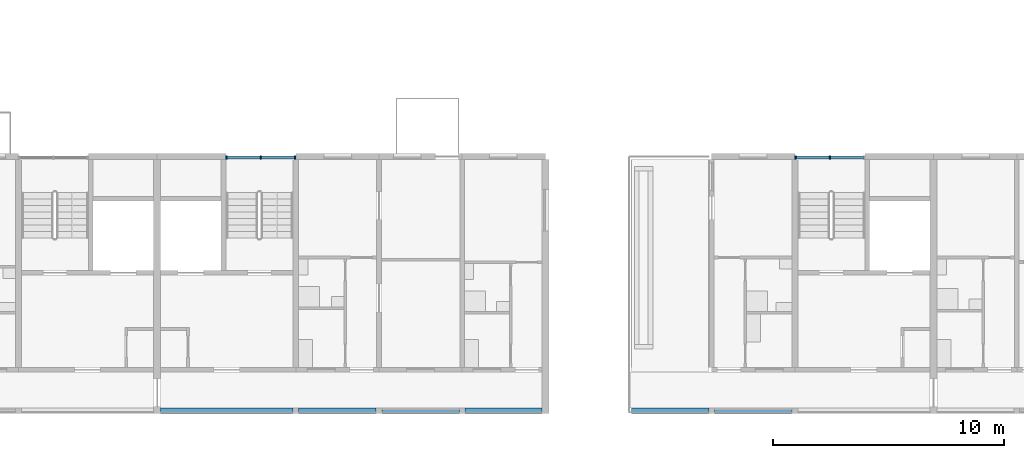
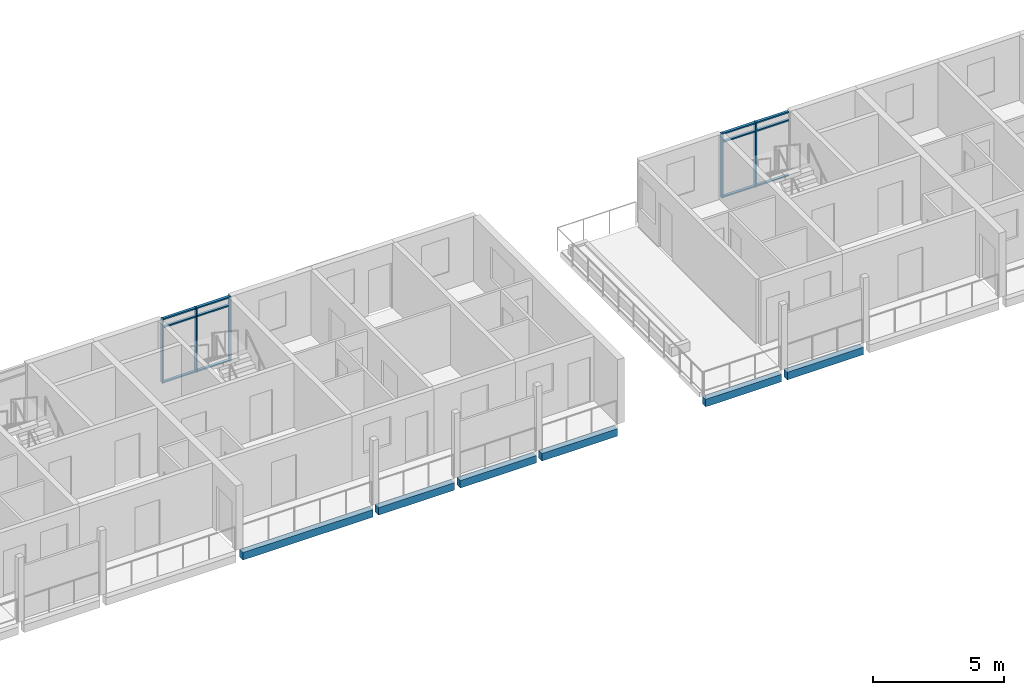
# One storey, part 5 of 64: 17 members, 6 beams, 2 elements without a shape of their own.
"""IFC4 building model written with IfcOpenShell, lengths in metres."""

from ifc_helpers import new_model, si_unit, direction, frame, origin, origin_2d, place, context, subcontext, project, spatial, rectangle, extrude, material, material_profile, profile_set, type_object, element, aggregate, save


model = new_model("IFC4")

# Units and contexts
model_context = context("Model", 3, precision=1e-05, world=origin(), true_north=direction((0.0, 1.0)))
body_context = subcontext(model_context, "Body", "Model", "MODEL_VIEW")
ifc_project = project(units=[si_unit("LENGTHUNIT", "METRE"), si_unit("AREAUNIT", "SQUARE_METRE"), si_unit("VOLUMEUNIT", "CUBIC_METRE"), si_unit("PLANEANGLEUNIT", "RADIAN"), si_unit("MASSUNIT", "GRAM", prefix="KILO")], contexts=[model_context])

# Site, building, storey
site_placement = place(None, origin())
site = spatial("IfcSite", under=ifc_project, at=site_placement, CompositionType="ELEMENT")
building_placement = place(site_placement, origin())
building = spatial("IfcBuilding", under=site, at=building_placement, Name="Ridgestep Commons", CompositionType="ELEMENT")
storey_placement = place(building_placement, frame((0.0, 0.0, 33.0)))
storey = spatial("IfcBuildingStorey", under=building, at=storey_placement, Name="L11", CompositionType="ELEMENT", Elevation=33.0)

# Beams
ifc_material_1 = material(Name="Precast concrete C40/50", Category="concrete")
ifc_material_profile_1 = material_profile(ifc_material_1, rectangle(XDim=0.25, YDim=0.35009765625, at=origin_2d()), Name="PC 250x350")
ifc_profile_set_1 = profile_set([ifc_material_profile_1], Name="Precast concrete C40/50")
beam_type = type_object("IfcBeamType", Name="Loggia edge beam 250 x 350", PredefinedType="SPANDREL", material=ifc_profile_set_1)
beam_1_placement = place(storey_placement, frame((45.75, 11.875, -0.375), z_axis=(1.0, 0.0, 0.0), x_axis=(0.0, 1.0, 0.0)))
element("IfcBeam", 1, at=beam_1_placement, inside=storey, type_object=beam_type, Name="Loggia edge beam A3C L11", PredefinedType="SPANDREL", context=body_context, shape_type="SweptSolid", body=[
    extrude(rectangle(XDim=0.25, YDim=0.35009765625, at=origin_2d()), origin(), (0.0, 0.0, 1.0), 5.72509765625),
])
beam_2_placement = place(storey_placement, frame((51.72509765625, 11.875, -0.375), z_axis=(1.0, 0.0, 0.0), x_axis=(0.0, 1.0, 0.0)))
element("IfcBeam", 2, at=beam_2_placement, inside=storey, type_object=beam_type, Name="Loggia edge beam A3T3 L11", PredefinedType="SPANDREL", context=body_context, shape_type="SweptSolid", body=[
    extrude(rectangle(XDim=0.25, YDim=0.35009765625, at=origin_2d()), origin(), (0.0, 0.0, 1.0), 3.349853515625),
])
beam_3_placement = place(storey_placement, frame((55.324951171875, 11.875, -0.375), z_axis=(1.0, 0.0, 0.0), x_axis=(0.0, 1.0, 0.0)))
element("IfcBeam", 3, at=beam_3_placement, inside=storey, type_object=beam_type, Name="Loggia edge beam A3T2 L11", PredefinedType="SPANDREL", context=body_context, shape_type="SweptSolid", body=[
    extrude(rectangle(XDim=0.25, YDim=0.35009765625, at=origin_2d()), origin(), (0.0, 0.0, 1.0), 3.35009765625),
])
beam_4_placement = place(storey_placement, frame((58.925048828125, 11.875, -0.375), z_axis=(1.0, 0.0, 0.0), x_axis=(0.0, 1.0, 0.0)))
element("IfcBeam", 4, at=beam_4_placement, inside=storey, type_object=beam_type, Name="Loggia edge beam A3T1 L11", PredefinedType="SPANDREL", context=body_context, shape_type="SweptSolid", body=[
    extrude(rectangle(XDim=0.25, YDim=0.35009765625, at=origin_2d()), origin(), (0.0, 0.0, 1.0), 3.324951171875),
])
beam_5_placement = place(storey_placement, frame((66.125, 11.875, -0.375), z_axis=(1.0, 0.0, 0.0), x_axis=(0.0, 1.0, 0.0)))
element("IfcBeam", 5, at=beam_5_placement, inside=storey, type_object=beam_type, Name="Loggia edge beam A4T2 L11", PredefinedType="SPANDREL", context=body_context, shape_type="SweptSolid", body=[
    extrude(rectangle(XDim=0.25, YDim=0.35009765625, at=origin_2d()), origin(), (0.0, 0.0, 1.0), 3.35009765625),
])
beam_6_placement = place(storey_placement, frame((69.72509765625, 11.875, -0.375), z_axis=(1.0, 0.0, 0.0), x_axis=(0.0, 1.0, 0.0)))
element("IfcBeam", 6, at=beam_6_placement, inside=storey, type_object=beam_type, Name="Loggia edge beam A4T3 L11", PredefinedType="SPANDREL", context=body_context, shape_type="SweptSolid", body=[
    extrude(rectangle(XDim=0.25, YDim=0.35009765625, at=origin_2d()), origin(), (0.0, 0.0, 1.0), 3.349853515625),
])

# Curtain wall, members
ifc_material_2 = material(Name="Aluminium 6063-T6 and glass", Category="aluminium")
curtain_wall_type = type_object("IfcCurtainWallType", Name="Curtain wall stair strip", PredefinedType="NOTDEFINED", material=ifc_material_2)
curtain_wall_1_placement = place(storey_placement, origin())
curtain_wall_1 = element("IfcCurtainWall", 7, at=curtain_wall_1_placement, inside=storey, type_object=curtain_wall_type, Name="Curtain wall A3C level 11", PredefinedType="NOTDEFINED")
ifc_material_3 = material(Name="Aluminium 6063-T6", Category="aluminium")
ifc_material_profile_2 = material_profile(ifc_material_3, rectangle(XDim=0.159912109375, YDim=0.06005859375, at=origin_2d()), Name="Mullion 60 x 160")
ifc_profile_set_2 = profile_set([ifc_material_profile_2], Name="Aluminium 6063-T6")
member_type_1 = type_object("IfcMemberType", Name="Mullion 60 x 160", PredefinedType="MULLION", material=ifc_profile_set_2)
member_1_placement = place(storey_placement, frame((48.60498046875, 22.830078125, 0.0), z_axis=(0.0, 0.0, 1.0), x_axis=(0.0, 1.0, 0.0)))
member_1 = element("IfcMember", 8, at=member_1_placement, type_object=member_type_1, Name="CW1 mullion 1", PredefinedType="MULLION", context=body_context, shape_type="SweptSolid", body=[
    extrude(rectangle(XDim=0.159912109375, YDim=0.06005859375, at=origin_2d()), origin(), (0.0, 0.0, 1.0), 3.0),
])
member_2_placement = place(storey_placement, frame((50.08740234375, 22.830078125, 0.0), z_axis=(0.0, 0.0, 1.0), x_axis=(0.0, 1.0, 0.0)))
member_2 = element("IfcMember", 9, at=member_2_placement, type_object=member_type_1, Name="CW1 mullion 2", PredefinedType="MULLION", context=body_context, shape_type="SweptSolid", body=[
    extrude(rectangle(XDim=0.159912109375, YDim=0.06005859375, at=origin_2d()), origin(), (0.0, 0.0, 1.0), 3.0),
])
member_3_placement = place(storey_placement, frame((51.570068359375, 22.830078125, 0.0), z_axis=(0.0, 0.0, 1.0), x_axis=(0.0, 1.0, 0.0)))
member_3 = element("IfcMember", 10, at=member_3_placement, type_object=member_type_1, Name="CW1 mullion 3", PredefinedType="MULLION", context=body_context, shape_type="SweptSolid", body=[
    extrude(rectangle(XDim=0.159912109375, YDim=0.06005859375, at=origin_2d()), origin(), (0.0, 0.0, 1.0), 3.0),
])

curtain_wall_2_placement = place(storey_placement, origin())
curtain_wall_2 = element("IfcCurtainWall", 11, at=curtain_wall_2_placement, inside=storey, type_object=curtain_wall_type, Name="Curtain wall A4C level 11", PredefinedType="NOTDEFINED")
member_4_placement = place(storey_placement, frame((73.22998046875, 22.830078125, 0.0), z_axis=(0.0, 0.0, 1.0), x_axis=(0.0, 1.0, 0.0)))
member_4 = element("IfcMember", 12, at=member_4_placement, type_object=member_type_1, Name="CW1 mullion 1", PredefinedType="MULLION", context=body_context, shape_type="SweptSolid", body=[
    extrude(rectangle(XDim=0.159912109375, YDim=0.06005859375, at=origin_2d()), origin(), (0.0, 0.0, 1.0), 3.0),
])
member_5_placement = place(storey_placement, frame((74.71240234375, 22.830078125, 0.0), z_axis=(0.0, 0.0, 1.0), x_axis=(0.0, 1.0, 0.0)))
member_5 = element("IfcMember", 13, at=member_5_placement, type_object=member_type_1, Name="CW1 mullion 2", PredefinedType="MULLION", context=body_context, shape_type="SweptSolid", body=[
    extrude(rectangle(XDim=0.159912109375, YDim=0.06005859375, at=origin_2d()), origin(), (0.0, 0.0, 1.0), 3.0),
])

# Member
ifc_material_4 = material(Name="Aluminium 6063-T6", Category="aluminium")
ifc_material_profile_3 = material_profile(ifc_material_4, rectangle(XDim=0.1201171875, YDim=0.06005859375, at=origin_2d()), Name="Transom 60 x 120")
ifc_profile_set_3 = profile_set([ifc_material_profile_3], Name="Aluminium 6063-T6")
member_type_2 = type_object("IfcMemberType", Name="Transom 60 x 120", PredefinedType="USERDEFINED", material=ifc_profile_set_3)
member_6_placement = place(storey_placement, frame((48.635009765625, 22.830078125, 0.030029296875), z_axis=(1.0, 0.0, 0.0), x_axis=(0.0, 1.0, 0.0)))
member_6 = element("IfcMember", 14, at=member_6_placement, type_object=member_type_2, Name="CW1 transom 1.1", ObjectType="TRANSOM", PredefinedType="USERDEFINED", context=body_context, shape_type="SweptSolid", body=[
    extrude(rectangle(XDim=0.1201171875, YDim=0.06005859375, at=origin_2d()), origin(), (0.0, 0.0, 1.0), 1.422607421875),
])

member_7_placement = place(storey_placement, frame((48.635009765625, 22.830078125, 2.590087890625), z_axis=(1.0, 0.0, 0.0), x_axis=(0.0, 1.0, 0.0)))
member_7 = element("IfcMember", 15, at=member_7_placement, type_object=member_type_2, Name="CW1 transom 1.2", ObjectType="TRANSOM", PredefinedType="USERDEFINED", context=body_context, shape_type="SweptSolid", body=[
    extrude(rectangle(XDim=0.1201171875, YDim=0.06005859375, at=origin_2d()), origin(), (0.0, 0.0, 1.0), 1.422607421875),
])

member_8_placement = place(storey_placement, frame((48.635009765625, 22.830078125, 2.969970703125), z_axis=(1.0, 0.0, 0.0), x_axis=(0.0, 1.0, 0.0)))
member_8 = element("IfcMember", 16, at=member_8_placement, type_object=member_type_2, Name="CW1 transom 1.3", ObjectType="TRANSOM", PredefinedType="USERDEFINED", context=body_context, shape_type="SweptSolid", body=[
    extrude(rectangle(XDim=0.1201171875, YDim=0.06005859375, at=origin_2d()), origin(), (0.0, 0.0, 1.0), 1.422607421875),
])

member_9_placement = place(storey_placement, frame((50.117431640625, 22.830078125, 0.030029296875), z_axis=(1.0, 0.0, 0.0), x_axis=(0.0, 1.0, 0.0)))
member_9 = element("IfcMember", 17, at=member_9_placement, type_object=member_type_2, Name="CW1 transom 2.1", ObjectType="TRANSOM", PredefinedType="USERDEFINED", context=body_context, shape_type="SweptSolid", body=[
    extrude(rectangle(XDim=0.1201171875, YDim=0.06005859375, at=origin_2d()), origin(), (0.0, 0.0, 1.0), 1.422607421875),
])

member_10_placement = place(storey_placement, frame((50.117431640625, 22.830078125, 2.590087890625), z_axis=(1.0, 0.0, 0.0), x_axis=(0.0, 1.0, 0.0)))
member_10 = element("IfcMember", 18, at=member_10_placement, type_object=member_type_2, Name="CW1 transom 2.2", ObjectType="TRANSOM", PredefinedType="USERDEFINED", context=body_context, shape_type="SweptSolid", body=[
    extrude(rectangle(XDim=0.1201171875, YDim=0.06005859375, at=origin_2d()), origin(), (0.0, 0.0, 1.0), 1.422607421875),
])

member_11_placement = place(storey_placement, frame((50.117431640625, 22.830078125, 2.969970703125), z_axis=(1.0, 0.0, 0.0), x_axis=(0.0, 1.0, 0.0)))
member_11 = element("IfcMember", 19, at=member_11_placement, type_object=member_type_2, Name="CW1 transom 2.3", ObjectType="TRANSOM", PredefinedType="USERDEFINED", context=body_context, shape_type="SweptSolid", body=[
    extrude(rectangle(XDim=0.1201171875, YDim=0.06005859375, at=origin_2d()), origin(), (0.0, 0.0, 1.0), 1.422607421875),
])

aggregate(curtain_wall_1, [member_1, member_2, member_3, member_6, member_7, member_8, member_9, member_10, member_11])

member_12_placement = place(storey_placement, frame((73.260009765625, 22.830078125, 0.030029296875), z_axis=(1.0, 0.0, 0.0), x_axis=(0.0, 1.0, 0.0)))
member_12 = element("IfcMember", 20, at=member_12_placement, type_object=member_type_2, Name="CW1 transom 1.1", ObjectType="TRANSOM", PredefinedType="USERDEFINED", context=body_context, shape_type="SweptSolid", body=[
    extrude(rectangle(XDim=0.1201171875, YDim=0.06005859375, at=origin_2d()), origin(), (0.0, 0.0, 1.0), 1.422607421875),
])

member_13_placement = place(storey_placement, frame((73.260009765625, 22.830078125, 2.590087890625), z_axis=(1.0, 0.0, 0.0), x_axis=(0.0, 1.0, 0.0)))
member_13 = element("IfcMember", 21, at=member_13_placement, type_object=member_type_2, Name="CW1 transom 1.2", ObjectType="TRANSOM", PredefinedType="USERDEFINED", context=body_context, shape_type="SweptSolid", body=[
    extrude(rectangle(XDim=0.1201171875, YDim=0.06005859375, at=origin_2d()), origin(), (0.0, 0.0, 1.0), 1.422607421875),
])

member_14_placement = place(storey_placement, frame((73.260009765625, 22.830078125, 2.969970703125), z_axis=(1.0, 0.0, 0.0), x_axis=(0.0, 1.0, 0.0)))
member_14 = element("IfcMember", 22, at=member_14_placement, type_object=member_type_2, Name="CW1 transom 1.3", ObjectType="TRANSOM", PredefinedType="USERDEFINED", context=body_context, shape_type="SweptSolid", body=[
    extrude(rectangle(XDim=0.1201171875, YDim=0.06005859375, at=origin_2d()), origin(), (0.0, 0.0, 1.0), 1.422607421875),
])

member_15_placement = place(storey_placement, frame((74.742431640625, 22.830078125, 0.030029296875), z_axis=(1.0, 0.0, 0.0), x_axis=(0.0, 1.0, 0.0)))
member_15 = element("IfcMember", 23, at=member_15_placement, type_object=member_type_2, Name="CW1 transom 2.1", ObjectType="TRANSOM", PredefinedType="USERDEFINED", context=body_context, shape_type="SweptSolid", body=[
    extrude(rectangle(XDim=0.1201171875, YDim=0.06005859375, at=origin_2d()), origin(), (0.0, 0.0, 1.0), 1.422607421875),
])

member_16_placement = place(storey_placement, frame((74.742431640625, 22.830078125, 2.590087890625), z_axis=(1.0, 0.0, 0.0), x_axis=(0.0, 1.0, 0.0)))
member_16 = element("IfcMember", 24, at=member_16_placement, type_object=member_type_2, Name="CW1 transom 2.2", ObjectType="TRANSOM", PredefinedType="USERDEFINED", context=body_context, shape_type="SweptSolid", body=[
    extrude(rectangle(XDim=0.1201171875, YDim=0.06005859375, at=origin_2d()), origin(), (0.0, 0.0, 1.0), 1.422607421875),
])

member_17_placement = place(storey_placement, frame((74.742431640625, 22.830078125, 2.969970703125), z_axis=(1.0, 0.0, 0.0), x_axis=(0.0, 1.0, 0.0)))
member_17 = element("IfcMember", 25, at=member_17_placement, type_object=member_type_2, Name="CW1 transom 2.3", ObjectType="TRANSOM", PredefinedType="USERDEFINED", context=body_context, shape_type="SweptSolid", body=[
    extrude(rectangle(XDim=0.1201171875, YDim=0.06005859375, at=origin_2d()), origin(), (0.0, 0.0, 1.0), 1.422607421875),
])

aggregate(curtain_wall_2, [member_4, member_5, member_12, member_13, member_14, member_15, member_16, member_17])

save(model, "model.ifc")
